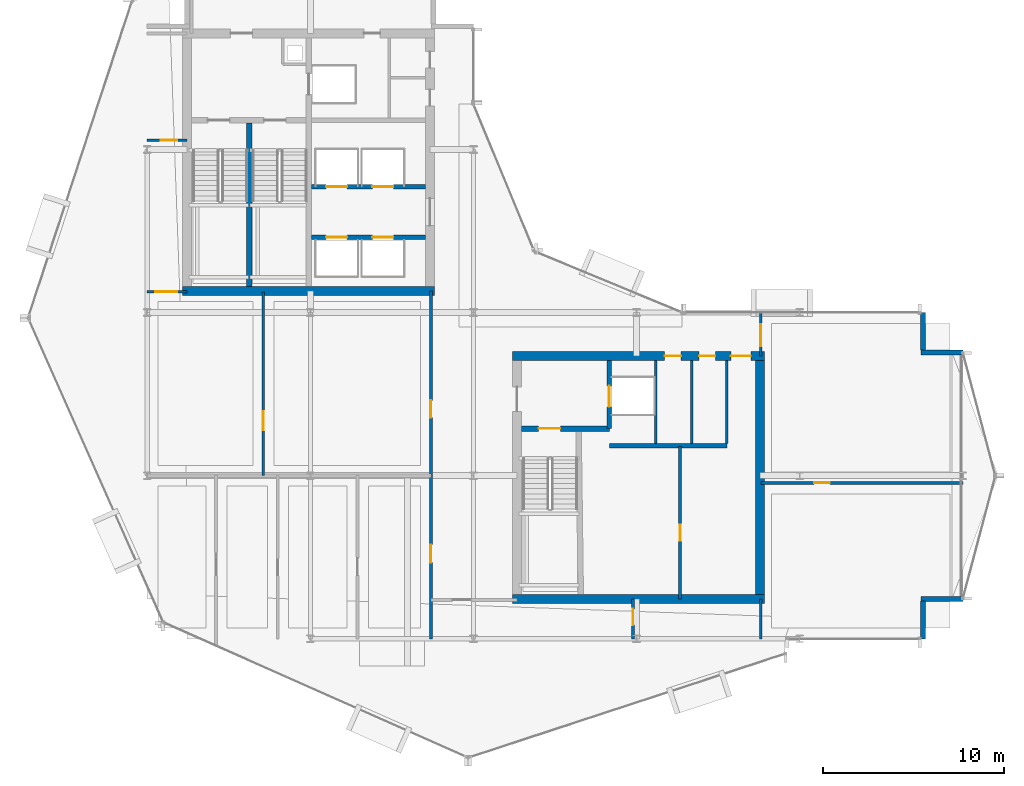
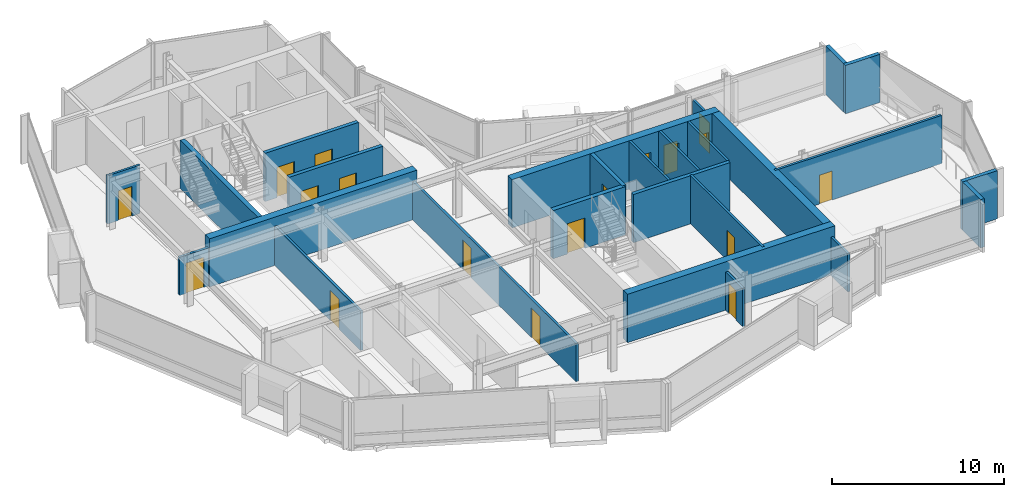
# One storey, part 20 of 27: 26 walls, 18 doors, 18 openings.
"""IFC4 building model written with IfcOpenShell, lengths in metres."""

import ifcopenshell
import ifcopenshell.guid

model = None  # the IFC model being written
_history = None  # IfcOwnerHistory: only IFC2X3 demands one
_inside = {}  # id of a spatial element -> (the spatial element, [elements in it])
_under = {}  # id of a project, library or spatial element -> (it, [spatial elements below it])
_declared = {}  # id of a project -> (the project, [libraries it declares])
_typed = {}  # id of a type object -> (the type object, [elements of that type])
_made_of = {}  # id of a material, layer set ... -> (it, [elements and type objects made of it])


def new_model(schema):
    """Start an empty IFC model of exactly this schema.

    Asked for "IFC4X3", IfcOpenShell would pick the latest addendum, in which some entities
    have other attributes; the version numbers below select the first issue.
    IFC2X3 requires an IfcOwnerHistory on every rooted entity: one is made here for all.
    """
    global model, _history
    if schema == "IFC4X3":
        model = ifcopenshell.file(schema_version=(4, 3, 0, 0))
    else:
        model = ifcopenshell.file(schema=schema)
    _inside.clear()
    _under.clear()
    _declared.clear()
    _typed.clear()
    _made_of.clear()
    _history = None
    if model.schema == "IFC2X3":
        org = make("IfcOrganization", Name="unknown")
        user = make(
            "IfcPersonAndOrganization",
            ThePerson=make("IfcPerson", FamilyName="unknown"),
            TheOrganization=org,
        )
        app = make(
            "IfcApplication",
            ApplicationDeveloper=org,
            Version="unknown",
            ApplicationFullName="unknown",
            ApplicationIdentifier="unknown",
        )
        _history = make(
            "IfcOwnerHistory",
            OwningUser=user,
            OwningApplication=app,
            ChangeAction="ADDED",
            CreationDate=0,
        )
    return model


def make(cls, **values):
    """One entity of the class cls with the attributes given. An attribute that is None is left unset."""
    return model.create_entity(
        cls, **{name: value for name, value in values.items() if value is not None}
    )


def rooted(cls, **values):
    """An entity with a GlobalId (a new one), such as an element, a storey or a relation."""
    return make(cls, GlobalId=ifcopenshell.guid.new(), OwnerHistory=_history, **values)


def si_unit(unit_type, name, prefix=None):
    """IfcSIUnit, for example si_unit("LENGTHUNIT", "METRE", prefix="MILLI")."""
    return make("IfcSIUnit", UnitType=unit_type, Prefix=prefix, Name=name)


def assignment(units):
    """IfcUnitAssignment: the units of a project."""
    return None if units is None else make("IfcUnitAssignment", Units=units)


def point(xyz):
    """IfcCartesianPoint."""
    return None if xyz is None else make("IfcCartesianPoint", Coordinates=xyz)


def direction(xyz):
    """IfcDirection."""
    return None if xyz is None else make("IfcDirection", DirectionRatios=xyz)


def frame(location, z_axis=None, x_axis=None):
    """IfcAxis2Placement3D, a coordinate frame: its origin and axes. An axis left out is left unset."""
    return make(
        "IfcAxis2Placement3D",
        Location=point(location),
        Axis=direction(z_axis),
        RefDirection=direction(x_axis),
    )


def frame_2d(location, x_axis=None):
    """IfcAxis2Placement2D, a coordinate frame in the plane: its origin and x axis."""
    return make(
        "IfcAxis2Placement2D", Location=point(location), RefDirection=direction(x_axis)
    )


def origin():
    """The frame at (0, 0, 0) with its axes left unset."""
    return frame((0.0, 0.0, 0.0))


def place(relative_to, where):
    """IfcLocalPlacement: puts the frame where relative to a parent placement (None: the world)."""
    return make(
        "IfcLocalPlacement", PlacementRelTo=relative_to, RelativePlacement=where
    )


def context(
    kind, dimensions, precision=None, world=None, true_north=None, identifier=None
):
    """IfcGeometricRepresentationContext, for example the 3D "Model" context."""
    return make(
        "IfcGeometricRepresentationContext",
        ContextIdentifier=identifier,
        ContextType=kind,
        CoordinateSpaceDimension=dimensions,
        Precision=precision,
        WorldCoordinateSystem=world,
        TrueNorth=true_north,
    )


def subcontext(parent, identifier, kind, view, scale=None):
    """IfcGeometricRepresentationSubContext, for example "Body" below "Model"."""
    return make(
        "IfcGeometricRepresentationSubContext",
        ContextIdentifier=identifier,
        ContextType=kind,
        ParentContext=parent,
        TargetScale=scale,
        TargetView=view,
    )


def project(units=None, contexts=None):
    """IfcProject with its units and contexts."""
    return rooted(
        "IfcProject",
        Name="project",
        RepresentationContexts=contexts,
        UnitsInContext=assignment(units),
    )


def spatial(cls, under=None, at=None, **own):
    """A site, building, storey or space (cls), placed at a placement, below another one or the project."""
    s = rooted(cls, ObjectPlacement=at, **own)
    if under is not None:
        _under.setdefault(under.id(), (under, []))[1].append(s)
    return s


def profile(cls, at=None, kind="AREA", **sizes):
    """A parametric profile (cls). Its sizes go by their IFC names, for example OverallWidth=200.0."""
    return make(cls, ProfileType=kind, Position=at, **sizes)


def rectangle(**sizes):
    """IfcRectangleProfileDef."""
    return profile("IfcRectangleProfileDef", **sizes)


def extrude(swept, where, along, depth):
    """IfcExtrudedAreaSolid: the profile swept, set in the frame where, extruded along a direction by depth."""
    return make(
        "IfcExtrudedAreaSolid",
        SweptArea=swept,
        Position=where,
        ExtrudedDirection=direction(along),
        Depth=depth,
    )


def shape(context_of_items, identifier, shape_type, items):
    """IfcShapeRepresentation: the items that make up one representation, for example the "Body"."""
    return make(
        "IfcShapeRepresentation",
        ContextOfItems=context_of_items,
        RepresentationIdentifier=identifier,
        RepresentationType=shape_type,
        Items=items,
    )


def material(Name=None, Category=None):
    """IfcMaterial."""
    return make("IfcMaterial", Name=Name, Category=Category)


def layer(
    of_material, thickness, ventilated=None, Name=None, Category=None, Priority=None
):
    """IfcMaterialLayer: one layer of a wall or slab, of a material (None: an air gap)."""
    return make(
        "IfcMaterialLayer",
        Material=of_material,
        LayerThickness=thickness,
        IsVentilated=ventilated,
        Name=Name,
        Category=Category,
        Priority=Priority,
    )


def layer_set(layers, Name=None):
    """IfcMaterialLayerSet."""
    return make("IfcMaterialLayerSet", MaterialLayers=layers, LayerSetName=Name)


def made_of(thing, what):
    """Note that an element or type object is made of a material, layer set ...; save() writes the relation."""
    if what is not None:
        _made_of.setdefault(what.id(), (what, []))[1].append(thing)
    return thing


def type_object(cls, material=None, **own):
    """A type object (cls), such as IfcWallType, which elements share."""
    return made_of(rooted(cls, **own), material)


def element(
    cls,
    number,
    at=None,
    inside=None,
    cuts=None,
    type_object=None,
    material=None,
    context=None,
    identifier="Body",
    shape_type=None,
    held_by="IfcProductDefinitionShape",
    body=None,
    shapes=None,
    **own,
):
    """One element of the class cls, such as IfcWall. Its Tag is "e" and its number.

    at: its placement. inside: the storey or other place that contains it. cuts: it is an
    opening in that element (IfcRelVoidsElement). A single representation is given by context,
    identifier, shape_type and body (its items); several are given by shapes. held_by: the class
    of the entity that holds the representations. save() writes the other relations.
    """
    e = rooted(cls, Tag="e%d" % number, ObjectPlacement=at, **own)
    if body is not None:
        shapes = [shape(context, identifier, shape_type, body)]
    if shapes is not None:
        e.Representation = make(held_by, Representations=shapes)
    if inside is not None:
        _inside.setdefault(inside.id(), (inside, []))[1].append(e)
    if cuts is not None:
        rooted(
            "IfcRelVoidsElement", RelatingBuildingElement=cuts, RelatedOpeningElement=e
        )
    if type_object is not None:
        _typed.setdefault(type_object.id(), (type_object, []))[1].append(e)
    return made_of(e, material)


def fill(opening, filler):
    """IfcRelFillsElement: the door or window that sits in an opening."""
    return rooted(
        "IfcRelFillsElement",
        RelatingOpeningElement=opening,
        RelatedBuildingElement=filler,
    )


def aggregate(whole, parts):
    """IfcRelAggregates: a whole, such as a stair, and the parts it consists of."""
    return rooted("IfcRelAggregates", RelatingObject=whole, RelatedObjects=parts)


def save(model, path):
    """Write the relations noted so far, then the file.

    IfcRelAggregates (storeys below a building ...), IfcRelContainedInSpatialStructure (elements
    in a storey), IfcRelDefinesByType, IfcRelAssociatesMaterial and IfcRelDeclares: one each for
    every whole, place, type object, material and project.
    """
    for whole, parts in _under.values():
        aggregate(whole, parts)
    for where, things in _inside.values():
        rooted(
            "IfcRelContainedInSpatialStructure",
            RelatedElements=things,
            RelatingStructure=where,
        )
    for kind, things in _typed.values():
        rooted("IfcRelDefinesByType", RelatedObjects=things, RelatingType=kind)
    for what, things in _made_of.values():
        rooted("IfcRelAssociatesMaterial", RelatedObjects=things, RelatingMaterial=what)
    for by, libraries in _declared.values():
        rooted("IfcRelDeclares", RelatingContext=by, RelatedDefinitions=libraries)
    model.write(path)


model = new_model("IFC4")

# Units and contexts
model_context = context("Model", 3, precision=1e-05, world=origin(), true_north=direction((0.0, 1.0)))
body_context = subcontext(model_context, "Body", "Model", "MODEL_VIEW")
ifc_project = project(units=[si_unit("LENGTHUNIT", "METRE"), si_unit("AREAUNIT", "SQUARE_METRE"), si_unit("VOLUMEUNIT", "CUBIC_METRE"), si_unit("PLANEANGLEUNIT", "RADIAN"), si_unit("MASSUNIT", "GRAM", prefix="KILO")], contexts=[model_context])

# Site, building, storey
site_placement = place(None, origin())
site = spatial("IfcSite", under=ifc_project, at=site_placement, CompositionType="ELEMENT")
building_placement = place(site_placement, origin())
building = spatial("IfcBuilding", under=site, at=building_placement, Name="Solvaryn Broadcast Tower", CompositionType="ELEMENT")
storey_placement = place(building_placement, frame((0.0, 0.0, 221.0)))
storey = spatial("IfcBuildingStorey", under=building, at=storey_placement, Name="L55", CompositionType="ELEMENT", Elevation=221.0)

# Walls
ifc_material_1 = material(Name="Concrete f'c 70 MPa", Category="concrete")
ifc_layer_1 = layer(ifc_material_1, 0.5)
ifc_layer_set_1 = layer_set([ifc_layer_1], Name="CW-SHEAR-500")
wall_type_1 = type_object("IfcWallType", Name="CW-SHEAR-500", PredefinedType="SHEAR", material=ifc_layer_set_1)
for number, where, z_axis, x_axis, name in (
    (1, (10.949951171875, 28.199951171875, 0.0), (0.0, 0.0, 1.0), (1.0, 0.0, 0.0), "L55 West Core South Shear Wall"),
    (2, (29.14990234375, 11.199951171875, 0.0), (0.0, 0.0, 1.0), (1.0, 0.0, 0.0), "L55 East Core South Shear Wall"),
):
    element("IfcWall", number, at=place(storey_placement, frame(where, z_axis=z_axis, x_axis=x_axis)), inside=storey, type_object=wall_type_1, Name=name, PredefinedType="SHEAR", context=body_context, shape_type="SweptSolid", body=[
        extrude(rectangle(XDim=13.900146484375, YDim=0.5, at=frame_2d((6.9501953125, 0.0))), origin(), (0.0, 0.0, 1.0), 3.419921875),
    ])

# Wall, openings, doors
wall_1_placement = place(storey_placement, frame((43.050048828125, 24.60009765625, 0.0), z_axis=(0.0, 0.0, 1.0), x_axis=(-1.0, 0.0, 0.0)))
wall_1 = element("IfcWall", 3, at=wall_1_placement, inside=storey, type_object=wall_type_1, Name="L55 East Core North Shear Wall", PredefinedType="SHEAR", context=body_context, shape_type="SweptSolid", body=[
    extrude(rectangle(XDim=13.900146484375, YDim=0.5, at=frame_2d((6.9501953125, 0.0))), origin(), (0.0, 0.0, 1.0), 3.419921875),
])
opening_1_placement = place(wall_1_placement, frame((0.75, 0.0, 0.0)))
opening_1 = element("IfcOpeningElement", 4, at=opening_1_placement, cuts=wall_1, Name="Opening FD90C", PredefinedType="OPENING", context=body_context, shape_type="SweptSolid", body=[
    extrude(rectangle(XDim=1.10009765625, YDim=2.14990234375, at=frame_2d((0.550048828125, 1.074951171875))), frame((0.0, 0.260009765625, 0.0), z_axis=(0.0, -1.0, 0.0), x_axis=(1.0, 0.0, 0.0)), (0.0, 0.0, 1.0), 0.52001953125),
])
opening_2_placement = place(wall_1_placement, frame((2.699951171875, 0.0, 0.0)))
opening_2 = element("IfcOpeningElement", 5, at=opening_2_placement, cuts=wall_1, Name="Opening FD60C", PredefinedType="OPENING", context=body_context, shape_type="SweptSolid", body=[
    extrude(rectangle(XDim=0.89990234375, YDim=2.10009765625, at=frame_2d((0.449951171875, 1.050048828125))), frame((0.0, 0.260009765625, 0.0), z_axis=(0.0, -1.0, 0.0), x_axis=(1.0, 0.0, 0.0)), (0.0, 0.0, 1.0), 0.52001953125),
])
opening_3_placement = place(wall_1_placement, frame((4.60009765625, 0.0, 0.0)))
opening_3 = element("IfcOpeningElement", 6, at=opening_3_placement, cuts=wall_1, Name="Opening FD60C", PredefinedType="OPENING", context=body_context, shape_type="SweptSolid", body=[
    extrude(rectangle(XDim=0.89990234375, YDim=2.10009765625, at=frame_2d((0.449951171875, 1.050048828125))), frame((0.0, 0.260009765625, 0.0), z_axis=(0.0, -1.0, 0.0), x_axis=(1.0, 0.0, 0.0)), (0.0, 0.0, 1.0), 0.52001953125),
])
ifc_material_2 = material(Name="Flush Acoustic Steel and Timber Door Assembly", Category="steel")
door_type_1 = type_object("IfcDoorType", Name="FD60-SERV-900X2100", OperationType="NOTDEFINED", PredefinedType="DOOR", material=ifc_material_2)
door_1_placement = place(opening_2_placement, origin())
door_1 = element("IfcDoor", 7, at=door_1_placement, inside=storey, type_object=door_type_1, Name="L55 Staff Restroom Door", OperationType="SINGLE_SWING_LEFT", OverallHeight=2.10009765625, OverallWidth=0.89990234375, PredefinedType="DOOR", context=body_context, shape_type="SweptSolid", body=[
    extrude(rectangle(XDim=0.89990234375, YDim=2.10009765625, at=frame_2d((0.449951171875, 1.050048828125))), frame((0.0, 0.02490234375, 0.0), z_axis=(0.0, -1.0, 0.0), x_axis=(1.0, 0.0, 0.0)), (0.0, 0.0, 1.0), 0.050048828125),
])
fill(opening_2, door_1)
door_2_placement = place(opening_3_placement, origin())
door_2 = element("IfcDoor", 8, at=door_2_placement, inside=storey, type_object=door_type_1, Name="L55 Accessible WC Door", OperationType="SINGLE_SWING_RIGHT", OverallHeight=2.10009765625, OverallWidth=0.89990234375, PredefinedType="DOOR", context=body_context, shape_type="SweptSolid", body=[
    extrude(rectangle(XDim=0.89990234375, YDim=2.10009765625, at=frame_2d((0.449951171875, 1.050048828125))), frame((0.0, 0.02490234375, 0.0), z_axis=(0.0, -1.0, 0.0), x_axis=(1.0, 0.0, 0.0)), (0.0, 0.0, 1.0), 0.050048828125),
])
fill(opening_3, door_2)
ifc_material_3 = material(Name="Flush Acoustic Steel and Timber Door Assembly", Category="steel")
door_type_2 = type_object("IfcDoorType", Name="FD90-PLANT-1100X2150", OperationType="NOTDEFINED", PredefinedType="DOOR", material=ifc_material_3)
door_3_placement = place(opening_1_placement, origin())
door_3 = element("IfcDoor", 9, at=door_3_placement, inside=storey, type_object=door_type_2, Name="L55 East Core Lobby Corridor Door", OperationType="SINGLE_SWING_LEFT", OverallHeight=2.14990234375, OverallWidth=1.10009765625, PredefinedType="DOOR", context=body_context, shape_type="SweptSolid", body=[
    extrude(rectangle(XDim=1.10009765625, YDim=2.14990234375, at=frame_2d((0.550048828125, 1.074951171875))), frame((0.0, 0.02490234375, 0.0), z_axis=(0.0, -1.0, 0.0), x_axis=(1.0, 0.0, 0.0)), (0.0, 0.0, 1.0), 0.050048828125),
])
fill(opening_1, door_3)

# Walls
wall_2_placement = place(storey_placement, frame((42.800048828125, 11.449951171875, 0.0), z_axis=(0.0, 0.0, 1.0), x_axis=(0.0, 1.0, 0.0)))
element("IfcWall", 10, at=wall_2_placement, inside=storey, type_object=wall_type_1, Name="L55 East Core East Shear Wall", PredefinedType="SHEAR", context=body_context, shape_type="SweptSolid", body=[
    extrude(rectangle(XDim=12.900146484375, YDim=0.5, at=frame_2d((6.4501953125, 0.0))), origin(), (0.0, 0.0, 1.0), 3.419921875),
])
ifc_material_4 = material(Name="Concrete f'c 50 MPa", Category="concrete")
ifc_layer_2 = layer(ifc_material_4, 0.260009765625)
ifc_layer_set_2 = layer_set([ifc_layer_2], Name="EW-PIER-260")
wall_type_2 = type_object("IfcWallType", Name="EW-PIER-260", PredefinedType="SOLIDWALL", material=ifc_layer_set_2)
wall_3_placement = place(storey_placement, frame((51.800048828125, 9.0, 0.0), z_axis=(0.0, 0.0, 1.0), x_axis=(0.0, 1.0, 0.0)))
element("IfcWall", 11, at=wall_3_placement, inside=storey, type_object=wall_type_2, Name="L55 Notched Corner Pier Wall NSE1", PredefinedType="SOLIDWALL", context=body_context, shape_type="SweptSolid", body=[
    extrude(rectangle(XDim=2.080078125, YDim=0.260009765625, at=frame_2d((1.0400390625, 0.0))), origin(), (0.0, 0.0, 1.0), 3.419921875),
])
for number, where, z_axis, x_axis, name in (
    (12, (51.679931640625, 11.199951171875, 0.0), (0.0, 0.0, 1.0), (1.0, 0.0, 0.0), "L55 Notched Corner Pier Wall NSE2"),
    (13, (54.0, 24.800048828125, 0.0), (0.0, 0.0, 1.0), (-1.0, 0.0, 0.0), "L55 Notched Corner Pier Wall NEE1"),
):
    element("IfcWall", number, at=place(storey_placement, frame(where, z_axis=z_axis, x_axis=x_axis)), inside=storey, type_object=wall_type_2, Name=name, PredefinedType="SOLIDWALL", context=body_context, shape_type="SweptSolid", body=[
        extrude(rectangle(XDim=2.320068359375, YDim=0.260009765625, at=frame_2d((1.16015625, 0.0))), origin(), (0.0, 0.0, 1.0), 3.419921875),
    ])
wall_4_placement = place(storey_placement, frame((51.800048828125, 24.919921875, 0.0), z_axis=(0.0, 0.0, 1.0), x_axis=(0.0, 1.0, 0.0)))
element("IfcWall", 14, at=wall_4_placement, inside=storey, type_object=wall_type_2, Name="L55 Notched Corner Pier Wall NEE2", PredefinedType="SOLIDWALL", context=body_context, shape_type="SweptSolid", body=[
    extrude(rectangle(XDim=2.080078125, YDim=0.260009765625, at=frame_2d((1.0400390625, 0.0))), origin(), (0.0, 0.0, 1.0), 3.419921875),
])

# Wall, opening, door
ifc_material_5 = material(Name="Metal-Stud Service Core Partition")
ifc_layer_3 = layer(ifc_material_5, 0.14990234375)
ifc_layer_set_3 = layer_set([ifc_layer_3], Name="IW-PART-150")
wall_type_3 = type_object("IfcWallType", Name="IW-PART-150", PredefinedType="PARTITIONING", material=ifc_layer_set_3)
wall_5_placement = place(storey_placement, frame((38.39990234375, 11.199951171875, 0.0), z_axis=(0.0, 0.0, 1.0), x_axis=(0.0, 1.0, 0.0)))
wall_5 = element("IfcWall", 15, at=wall_5_placement, inside=storey, type_object=wall_type_3, Name="L55 Interior Partition IW-L55-RPM-V", PredefinedType="PARTITIONING", context=body_context, shape_type="SweptSolid", body=[
    extrude(rectangle(XDim=8.400146484375, YDim=0.14990234375, at=frame_2d((4.2001953125, 0.0))), origin(), (0.0, 0.0, 1.0), 3.419921875),
])
opening_4_placement = place(wall_5_placement, frame((3.199951171875, 0.0, 0.0)))
opening_4 = element("IfcOpeningElement", 16, at=opening_4_placement, cuts=wall_5, Name="Opening FD60C", PredefinedType="OPENING", context=body_context, shape_type="SweptSolid", body=[
    extrude(rectangle(XDim=0.89990234375, YDim=2.10009765625, at=frame_2d((0.449951171875, 1.050048828125))), frame((0.0, 0.0849609375, 0.0), z_axis=(0.0, -1.0, 0.0), x_axis=(1.0, 0.0, 0.0)), (0.0, 0.0, 1.0), 0.169921875),
])
door_4_placement = place(opening_4_placement, origin())
door_4 = element("IfcDoor", 17, at=door_4_placement, inside=storey, type_object=door_type_1, Name="L55 Door DR-L55-RPM1", OperationType="SINGLE_SWING_RIGHT", OverallHeight=2.10009765625, OverallWidth=0.89990234375, PredefinedType="DOOR", context=body_context, shape_type="SweptSolid", body=[
    extrude(rectangle(XDim=0.89990234375, YDim=2.10009765625, at=frame_2d((0.449951171875, 1.050048828125))), frame((0.0, 0.02490234375, 0.0), z_axis=(0.0, -1.0, 0.0), x_axis=(1.0, 0.0, 0.0)), (0.0, 0.0, 1.0), 0.050048828125),
])
fill(opening_4, door_4)

# Walls
for number, where, z_axis, x_axis, name in (
    (18, (37.050048828125, 19.780029296875, 0.0), (0.0, 0.0, 1.0), (0.0, 1.0, 0.0), "L55 Interior Partition IW-L55-CE-FL2E"),
    (19, (39.050048828125, 19.780029296875, 0.0), (0.0, 0.0, 1.0), (0.0, 1.0, 0.0), "L55 Interior Partition IW-L55-CE-V1"),
    (20, (40.97998046875, 19.780029296875, 0.0), (0.0, 0.0, 1.0), (0.0, 1.0, 0.0), "L55 Interior Partition IW-L55-CE-V3"),
):
    element("IfcWall", number, at=place(storey_placement, frame(where, z_axis=z_axis, x_axis=x_axis)), inside=storey, type_object=wall_type_3, Name=name, PredefinedType="PARTITIONING", context=body_context, shape_type="SweptSolid", body=[
        extrude(rectangle(XDim=4.570068359375, YDim=0.14990234375, at=frame_2d((2.28515625, 0.0))), origin(), (0.0, 0.0, 1.0), 3.419921875),
    ])

# Wall, opening, door
wall_6_placement = place(storey_placement, frame((9.0, 36.5, 0.0), z_axis=(0.0, 0.0, 1.0), x_axis=(1.0, 0.0, 0.0)))
wall_6 = element("IfcWall", 21, at=wall_6_placement, inside=storey, type_object=wall_type_3, Name="L55 Interior Partition IW-L55-WM-M", PredefinedType="PARTITIONING", context=body_context, shape_type="SweptSolid", body=[
    extrude(rectangle(XDim=2.199951171875, YDim=0.14990234375, at=frame_2d((1.10009765625, 0.0))), origin(), (0.0, 0.0, 1.0), 3.419921875),
])
opening_5_placement = place(wall_6_placement, frame((0.75, 0.0, 0.0)))
opening_5 = element("IfcOpeningElement", 22, at=opening_5_placement, cuts=wall_6, Name="Opening FD60C", PredefinedType="OPENING", context=body_context, shape_type="SweptSolid", body=[
    extrude(rectangle(XDim=0.89990234375, YDim=2.10009765625, at=frame_2d((0.449951171875, 1.050048828125))), frame((0.0, 0.0849609375, 0.0), z_axis=(0.0, -1.0, 0.0), x_axis=(1.0, 0.0, 0.0)), (0.0, 0.0, 1.0), 0.169921875),
])
door_5_placement = place(opening_5_placement, origin())
door_5 = element("IfcDoor", 23, at=door_5_placement, inside=storey, type_object=door_type_1, Name="L55 Door DR-L55-WM1", OperationType="SINGLE_SWING_RIGHT", OverallHeight=2.10009765625, OverallWidth=0.89990234375, PredefinedType="DOOR", context=body_context, shape_type="SweptSolid", body=[
    extrude(rectangle(XDim=0.89990234375, YDim=2.10009765625, at=frame_2d((0.449951171875, 1.050048828125))), frame((0.0, 0.02490234375, 0.0), z_axis=(0.0, -1.0, 0.0), x_axis=(1.0, 0.0, 0.0)), (0.0, 0.0, 1.0), 0.050048828125),
])
fill(opening_5, door_5)

wall_7_placement = place(storey_placement, frame((35.800048828125, 9.0, 0.0), z_axis=(0.0, 0.0, 1.0), x_axis=(0.0, 1.0, 0.0)))
wall_7 = element("IfcWall", 24, at=wall_7_placement, inside=storey, type_object=wall_type_3, Name="L55 Interior Partition IW-L55-SC-V", PredefinedType="PARTITIONING", context=body_context, shape_type="SweptSolid", body=[
    extrude(rectangle(XDim=2.199951171875, YDim=0.14990234375, at=frame_2d((1.10009765625, 0.0))), origin(), (0.0, 0.0, 1.0), 2.70703125),
])
opening_6_placement = place(wall_7_placement, frame((0.75, 0.0, 0.0)))
opening_6 = element("IfcOpeningElement", 25, at=opening_6_placement, cuts=wall_7, Name="Opening FD60C", PredefinedType="OPENING", context=body_context, shape_type="SweptSolid", body=[
    extrude(rectangle(XDim=0.89990234375, YDim=2.10009765625, at=frame_2d((0.449951171875, 1.050048828125))), frame((0.0, 0.0849609375, 0.0), z_axis=(0.0, -1.0, 0.0), x_axis=(1.0, 0.0, 0.0)), (0.0, 0.0, 1.0), 0.169921875),
])
door_6_placement = place(opening_6_placement, origin())
door_6 = element("IfcDoor", 26, at=door_6_placement, inside=storey, type_object=door_type_1, Name="L55 Door DR-L55-SC1", OperationType="SINGLE_SWING_RIGHT", OverallHeight=2.10009765625, OverallWidth=0.89990234375, PredefinedType="DOOR", context=body_context, shape_type="SweptSolid", body=[
    extrude(rectangle(XDim=0.89990234375, YDim=2.10009765625, at=frame_2d((0.449951171875, 1.050048828125))), frame((0.0, 0.02490234375, 0.0), z_axis=(0.0, -1.0, 0.0), x_axis=(1.0, 0.0, 0.0)), (0.0, 0.0, 1.0), 0.050048828125),
])
fill(opening_6, door_6)

ifc_material_6 = material(Name="Metal-Stud Gypsum Office Partition")
ifc_layer_4 = layer(ifc_material_6, 0.159912109375)
ifc_layer_set_4 = layer_set([ifc_layer_4], Name="IW-PART-160")
wall_type_4 = type_object("IfcWallType", Name="IW-PART-160", PredefinedType="PARTITIONING", material=ifc_layer_set_4)
wall_8_placement = place(storey_placement, frame((9.0, 28.14990234375, 0.0), z_axis=(0.0, 0.0, 1.0), x_axis=(1.0, 0.0, 0.0)))
wall_8 = element("IfcWall", 27, at=wall_8_placement, inside=storey, type_object=wall_type_4, Name="L55 Interior Partition IW-L55-WM-S", PredefinedType="PARTITIONING", context=body_context, shape_type="SweptSolid", body=[
    extrude(rectangle(XDim=2.199951171875, YDim=0.159912109375, at=frame_2d((1.10009765625, 0.0))), origin(), (0.0, 0.0, 1.0), 2.70703125),
])
opening_7_placement = place(wall_8_placement, frame((0.449951171875, 0.0, 0.0)))
opening_7 = element("IfcOpeningElement", 28, at=opening_7_placement, cuts=wall_8, Name="Opening ID04", PredefinedType="OPENING", context=body_context, shape_type="SweptSolid", body=[
    extrude(rectangle(XDim=1.199951171875, YDim=2.14990234375, at=frame_2d((0.60009765625, 1.074951171875))), frame((0.0, 0.090087890625, 0.0), z_axis=(0.0, -1.0, 0.0), x_axis=(1.0, 0.0, 0.0)), (0.0, 0.0, 1.0), 0.179931640625),
])
ifc_material_7 = material(Name="Flush Acoustic Steel and Timber Door Assembly", Category="steel")
door_type_3 = type_object("IfcDoorType", Name="ID-04-1200X2150", OperationType="NOTDEFINED", PredefinedType="DOOR", material=ifc_material_7)
door_7_placement = place(opening_7_placement, origin())
door_7 = element("IfcDoor", 29, at=door_7_placement, inside=storey, type_object=door_type_3, Name="L55 Door DR-L55-WM0", OperationType="SINGLE_SWING_LEFT", OverallHeight=2.14990234375, OverallWidth=1.199951171875, PredefinedType="DOOR", context=body_context, shape_type="SweptSolid", body=[
    extrude(rectangle(XDim=1.199951171875, YDim=2.14990234375, at=frame_2d((0.60009765625, 1.074951171875))), frame((0.0, 0.02490234375, 0.0), z_axis=(0.0, -1.0, 0.0), x_axis=(1.0, 0.0, 0.0)), (0.0, 0.0, 1.0), 0.050048828125),
])
fill(opening_7, door_7)

# Wall, openings, doors
wall_9_placement = place(storey_placement, frame((24.64990234375, 9.0, 0.0), z_axis=(0.0, 0.0, 1.0), x_axis=(0.0, 1.0, 0.0)))
wall_9 = element("IfcWall", 30, at=wall_9_placement, inside=storey, type_object=wall_type_4, Name="L55 Interior Partition IW-L55-SW-EB", PredefinedType="PARTITIONING", context=body_context, shape_type="SweptSolid", body=[
    extrude(rectangle(XDim=19.199951171875, YDim=0.159912109375, at=frame_2d((9.60009765625, 0.0))), origin(), (0.0, 0.0, 1.0), 2.70703125),
])
opening_8_placement = place(wall_9_placement, frame((12.199951171875, 0.0, 0.0)))
opening_8 = element("IfcOpeningElement", 31, at=opening_8_placement, cuts=wall_9, Name="Opening ID01", PredefinedType="OPENING", context=body_context, shape_type="SweptSolid", body=[
    extrude(rectangle(XDim=0.949951171875, YDim=2.10009765625, at=frame_2d((0.47509765625, 1.050048828125))), frame((0.0, 0.090087890625, 0.0), z_axis=(0.0, -1.0, 0.0), x_axis=(1.0, 0.0, 0.0)), (0.0, 0.0, 1.0), 0.179931640625),
])
opening_9_placement = place(wall_9_placement, frame((4.199951171875, 0.0, 0.0)))
opening_9 = element("IfcOpeningElement", 32, at=opening_9_placement, cuts=wall_9, Name="Opening ID02", PredefinedType="OPENING", context=body_context, shape_type="SweptSolid", body=[
    extrude(rectangle(XDim=1.0, YDim=2.10009765625, at=frame_2d((0.5, 1.050048828125))), frame((0.0, 0.090087890625, 0.0), z_axis=(0.0, -1.0, 0.0), x_axis=(1.0, 0.0, 0.0)), (0.0, 0.0, 1.0), 0.179931640625),
])
ifc_material_8 = material(Name="Flush Acoustic Steel and Timber Door Assembly", Category="steel")
door_type_4 = type_object("IfcDoorType", Name="ID-01-950X2100", OperationType="NOTDEFINED", PredefinedType="DOOR", material=ifc_material_8)
door_8_placement = place(opening_8_placement, origin())
door_8 = element("IfcDoor", 33, at=door_8_placement, inside=storey, type_object=door_type_4, Name="L55 Door DR-L55-SW-EN", OperationType="SINGLE_SWING_LEFT", OverallHeight=2.10009765625, OverallWidth=0.949951171875, PredefinedType="DOOR", context=body_context, shape_type="SweptSolid", body=[
    extrude(rectangle(XDim=0.949951171875, YDim=2.10009765625, at=frame_2d((0.47509765625, 1.050048828125))), frame((0.0, 0.02490234375, 0.0), z_axis=(0.0, -1.0, 0.0), x_axis=(1.0, 0.0, 0.0)), (0.0, 0.0, 1.0), 0.050048828125),
])
fill(opening_8, door_8)
ifc_material_9 = material(Name="Flush Acoustic Steel and Timber Door Assembly", Category="steel")
door_type_5 = type_object("IfcDoorType", Name="ID-02-1000X2100", OperationType="NOTDEFINED", PredefinedType="DOOR", material=ifc_material_9)
door_9_placement = place(opening_9_placement, origin())
door_9 = element("IfcDoor", 34, at=door_9_placement, inside=storey, type_object=door_type_5, Name="L55 Door DR-L55-SW-ES", OperationType="SINGLE_SWING_RIGHT", OverallHeight=2.10009765625, OverallWidth=1.0, PredefinedType="DOOR", context=body_context, shape_type="SweptSolid", body=[
    extrude(rectangle(XDim=1.0, YDim=2.10009765625, at=frame_2d((0.5, 1.050048828125))), frame((0.0, 0.02490234375, 0.0), z_axis=(0.0, -1.0, 0.0), x_axis=(1.0, 0.0, 0.0)), (0.0, 0.0, 1.0), 0.050048828125),
])
fill(opening_9, door_9)

# Wall, opening, door
wall_10_placement = place(storey_placement, frame((15.39990234375, 18.0, 0.0), z_axis=(0.0, 0.0, 1.0), x_axis=(0.0, 1.0, 0.0)))
wall_10 = element("IfcWall", 35, at=wall_10_placement, inside=storey, type_object=wall_type_4, Name="L55 Interior Partition IW-L55-SWN-V1", PredefinedType="PARTITIONING", context=body_context, shape_type="SweptSolid", body=[
    extrude(rectangle(XDim=10.1298828125, YDim=0.159912109375, at=frame_2d((5.06494140625, 0.0))), origin(), (0.0, 0.0, 1.0), 2.7890625),
])
opening_10_placement = place(wall_10_placement, frame((2.5, 0.0, 0.0)))
opening_10 = element("IfcOpeningElement", 36, at=opening_10_placement, cuts=wall_10, Name="Opening ID03", PredefinedType="OPENING", context=body_context, shape_type="SweptSolid", body=[
    extrude(rectangle(XDim=1.050048828125, YDim=2.14990234375, at=frame_2d((0.52490234375, 1.074951171875))), frame((0.0, 0.090087890625, 0.0), z_axis=(0.0, -1.0, 0.0), x_axis=(1.0, 0.0, 0.0)), (0.0, 0.0, 1.0), 0.179931640625),
])
ifc_material_10 = material(Name="Flush Acoustic Steel and Timber Door Assembly", Category="steel")
door_type_6 = type_object("IfcDoorType", Name="ID-03-1050X2150", OperationType="NOTDEFINED", PredefinedType="DOOR", material=ifc_material_10)
door_10_placement = place(opening_10_placement, origin())
door_10 = element("IfcDoor", 37, at=door_10_placement, inside=storey, type_object=door_type_6, Name="L55 Door DR-L55-SWN-1", OperationType="SINGLE_SWING_LEFT", OverallHeight=2.14990234375, OverallWidth=1.050048828125, PredefinedType="DOOR", context=body_context, shape_type="SweptSolid", body=[
    extrude(rectangle(XDim=1.050048828125, YDim=2.14990234375, at=frame_2d((0.52490234375, 1.074951171875))), frame((0.0, 0.02490234375, 0.0), z_axis=(0.0, -1.0, 0.0), x_axis=(1.0, 0.0, 0.0)), (0.0, 0.0, 1.0), 0.050048828125),
])
fill(opening_10, door_10)

# Wall
wall_11_placement = place(storey_placement, frame((42.85009765625, 9.0, 0.0), z_axis=(0.0, 0.0, 1.0), x_axis=(0.0, 1.0, 0.0)))
element("IfcWall", 38, at=wall_11_placement, inside=storey, type_object=wall_type_4, Name="L55 Interior Partition IW-L55-SC-E", PredefinedType="PARTITIONING", context=body_context, shape_type="SweptSolid", body=[
    extrude(rectangle(XDim=2.199951171875, YDim=0.159912109375, at=frame_2d((1.10009765625, 0.0))), origin(), (0.0, 0.0, 1.0), 2.70703125),
])

# Wall, opening, door
wall_12_placement = place(storey_placement, frame((42.85009765625, 24.60009765625, 0.0), z_axis=(0.0, 0.0, 1.0), x_axis=(0.0, 1.0, 0.0)))
wall_12 = element("IfcWall", 39, at=wall_12_placement, inside=storey, type_object=wall_type_4, Name="L55 Interior Partition IW-L55-EW-BN", PredefinedType="PARTITIONING", context=body_context, shape_type="SweptSolid", body=[
    extrude(rectangle(XDim=2.39990234375, YDim=0.159912109375, at=frame_2d((1.199951171875, 0.0))), origin(), (0.0, 0.0, 1.0), 2.70703125),
])
opening_11_placement = place(wall_12_placement, frame((0.550048828125, 0.0, 0.0)))
opening_11 = element("IfcOpeningElement", 40, at=opening_11_placement, cuts=wall_12, Name="Opening ID04", PredefinedType="OPENING", context=body_context, shape_type="SweptSolid", body=[
    extrude(rectangle(XDim=1.199951171875, YDim=2.14990234375, at=frame_2d((0.60009765625, 1.074951171875))), frame((0.0, 0.090087890625, 0.0), z_axis=(0.0, -1.0, 0.0), x_axis=(1.0, 0.0, 0.0)), (0.0, 0.0, 1.0), 0.179931640625),
])
door_11_placement = place(opening_11_placement, origin())
door_11 = element("IfcDoor", 41, at=door_11_placement, inside=storey, type_object=door_type_3, Name="L55 Door DR-L55-EW0", OperationType="SINGLE_SWING_LEFT", OverallHeight=2.14990234375, OverallWidth=1.199951171875, PredefinedType="DOOR", context=body_context, shape_type="SweptSolid", body=[
    extrude(rectangle(XDim=1.199951171875, YDim=2.14990234375, at=frame_2d((0.60009765625, 1.074951171875))), frame((0.0, 0.02490234375, 0.0), z_axis=(0.0, -1.0, 0.0), x_axis=(1.0, 0.0, 0.0)), (0.0, 0.0, 1.0), 0.050048828125),
])
fill(opening_11, door_11)

wall_13_placement = place(storey_placement, frame((42.85009765625, 17.60009765625, 0.0), z_axis=(0.0, 0.0, 1.0), x_axis=(1.0, 0.0, 0.0)))
wall_13 = element("IfcWall", 42, at=wall_13_placement, inside=storey, type_object=wall_type_4, Name="L55 Interior Partition IW-L55-EW-H1", PredefinedType="PARTITIONING", context=body_context, shape_type="SweptSolid", body=[
    extrude(rectangle(XDim=11.14990234375, YDim=0.159912109375, at=frame_2d((5.574951171875, 0.0))), origin(), (0.0, 0.0, 1.0), 3.419921875),
])
opening_12_placement = place(wall_13_placement, frame((2.949951171875, 0.0, 0.0)))
opening_12 = element("IfcOpeningElement", 43, at=opening_12_placement, cuts=wall_13, Name="Opening ID07", PredefinedType="OPENING", context=body_context, shape_type="SweptSolid", body=[
    extrude(rectangle(XDim=0.860107421875, YDim=2.050048828125, at=frame_2d((0.43017578125, 1.02490234375))), frame((0.0, 0.090087890625, 0.0), z_axis=(0.0, -1.0, 0.0), x_axis=(1.0, 0.0, 0.0)), (0.0, 0.0, 1.0), 0.179931640625),
])
ifc_material_11 = material(Name="Flush Acoustic Steel and Timber Door Assembly", Category="steel")
door_type_7 = type_object("IfcDoorType", Name="ID-07-860X2050", OperationType="NOTDEFINED", PredefinedType="DOOR", material=ifc_material_11)
door_12_placement = place(opening_12_placement, origin())
door_12 = element("IfcDoor", 44, at=door_12_placement, inside=storey, type_object=door_type_7, Name="L55 Door DR-L55-EW-1", OperationType="SINGLE_SWING_RIGHT", OverallHeight=2.050048828125, OverallWidth=0.860107421875, PredefinedType="DOOR", context=body_context, shape_type="SweptSolid", body=[
    extrude(rectangle(XDim=0.860107421875, YDim=2.050048828125, at=frame_2d((0.43017578125, 1.02490234375))), frame((0.0, 0.02490234375, 0.0), z_axis=(0.0, -1.0, 0.0), x_axis=(1.0, 0.0, 0.0)), (0.0, 0.0, 1.0), 0.050048828125),
])
fill(opening_12, door_12)

# Wall, openings, doors
ifc_material_12 = material(Name="Concrete f'c 60 MPa", Category="concrete")
ifc_layer_5 = layer(ifc_material_12, 0.25)
ifc_layer_set_5 = layer_set([ifc_layer_5], Name="SW-SHAFT-250")
wall_type_5 = type_object("IfcWallType", Name="SW-SHAFT-250", PredefinedType="PARTITIONING", material=ifc_layer_set_5)
wall_14_placement = place(storey_placement, frame((18.070068359375, 31.14990234375, 0.0), z_axis=(0.0, 0.0, 1.0), x_axis=(1.0, 0.0, 0.0)))
wall_14 = element("IfcWall", 45, at=wall_14_placement, inside=storey, type_object=wall_type_5, Name="L55 High-Rise Lift Bank South Wall", PredefinedType="PARTITIONING", context=body_context, shape_type="SweptSolid", body=[
    extrude(rectangle(XDim=6.280029296875, YDim=0.25, at=frame_2d((3.14013671875, 0.0))), origin(), (0.0, 0.0, 1.0), 3.419921875),
])
opening_13_placement = place(wall_14_placement, frame((0.804931640625, 0.0, 0.0)))
opening_13 = element("IfcOpeningElement", 46, at=opening_13_placement, cuts=wall_14, Name="Opening LD01", PredefinedType="OPENING", context=body_context, shape_type="SweptSolid", body=[
    extrude(rectangle(XDim=1.14990234375, YDim=2.14990234375, at=frame_2d((0.574951171875, 1.074951171875))), frame((0.0, 0.135009765625, 0.0), z_axis=(0.0, -1.0, 0.0), x_axis=(1.0, 0.0, 0.0)), (0.0, 0.0, 1.0), 0.27001953125),
])
opening_14_placement = place(wall_14_placement, frame((3.35498046875, 0.0, 0.0)))
opening_14 = element("IfcOpeningElement", 47, at=opening_14_placement, cuts=wall_14, Name="Opening LD01", PredefinedType="OPENING", context=body_context, shape_type="SweptSolid", body=[
    extrude(rectangle(XDim=1.14990234375, YDim=2.14990234375, at=frame_2d((0.574951171875, 1.074951171875))), frame((0.0, 0.135009765625, 0.0), z_axis=(0.0, -1.0, 0.0), x_axis=(1.0, 0.0, 0.0)), (0.0, 0.0, 1.0), 0.27001953125),
])
ifc_material_13 = material(Name="Flush Acoustic Steel and Timber Door Assembly", Category="steel")
door_type_8 = type_object("IfcDoorType", Name="LD-LIFT-1150X2150", OperationType="NOTDEFINED", PredefinedType="DOOR", material=ifc_material_13)
door_13_placement = place(opening_13_placement, origin())
door_13 = element("IfcDoor", 48, at=door_13_placement, inside=storey, type_object=door_type_8, Name="L55 PH1 Lift Landing Door", OperationType="DOUBLE_DOOR_SLIDING", OverallHeight=2.14990234375, OverallWidth=1.14990234375, PredefinedType="DOOR", context=body_context, shape_type="SweptSolid", body=[
    extrude(rectangle(XDim=1.14990234375, YDim=2.14990234375, at=frame_2d((0.574951171875, 1.074951171875))), frame((0.0, 0.02490234375, 0.0), z_axis=(0.0, -1.0, 0.0), x_axis=(1.0, 0.0, 0.0)), (0.0, 0.0, 1.0), 0.050048828125),
])
fill(opening_13, door_13)
door_14_placement = place(opening_14_placement, origin())
door_14 = element("IfcDoor", 49, at=door_14_placement, inside=storey, type_object=door_type_8, Name="L55 PH2 Lift Landing Door", OperationType="DOUBLE_DOOR_SLIDING", OverallHeight=2.14990234375, OverallWidth=1.14990234375, PredefinedType="DOOR", context=body_context, shape_type="SweptSolid", body=[
    extrude(rectangle(XDim=1.14990234375, YDim=2.14990234375, at=frame_2d((0.574951171875, 1.074951171875))), frame((0.0, 0.02490234375, 0.0), z_axis=(0.0, -1.0, 0.0), x_axis=(1.0, 0.0, 0.0)), (0.0, 0.0, 1.0), 0.050048828125),
])
fill(opening_14, door_14)

wall_15_placement = place(storey_placement, frame((24.35009765625, 33.949951171875, 0.0), z_axis=(0.0, 0.0, 1.0), x_axis=(-1.0, 0.0, 0.0)))
wall_15 = element("IfcWall", 50, at=wall_15_placement, inside=storey, type_object=wall_type_5, Name="L55 High-Rise Lift Bank North Wall", PredefinedType="PARTITIONING", context=body_context, shape_type="SweptSolid", body=[
    extrude(rectangle(XDim=6.280029296875, YDim=0.25, at=frame_2d((3.14013671875, 0.0))), origin(), (0.0, 0.0, 1.0), 3.419921875),
])
opening_15_placement = place(wall_15_placement, frame((4.324951171875, 0.0, 0.0)))
opening_15 = element("IfcOpeningElement", 51, at=opening_15_placement, cuts=wall_15, Name="Opening LD01", PredefinedType="OPENING", context=body_context, shape_type="SweptSolid", body=[
    extrude(rectangle(XDim=1.14990234375, YDim=2.14990234375, at=frame_2d((0.574951171875, 1.074951171875))), frame((0.0, 0.135009765625, 0.0), z_axis=(0.0, -1.0, 0.0), x_axis=(1.0, 0.0, 0.0)), (0.0, 0.0, 1.0), 0.27001953125),
])
opening_16_placement = place(wall_15_placement, frame((1.77490234375, 0.0, 0.0)))
opening_16 = element("IfcOpeningElement", 52, at=opening_16_placement, cuts=wall_15, Name="Opening LD01", PredefinedType="OPENING", context=body_context, shape_type="SweptSolid", body=[
    extrude(rectangle(XDim=1.14990234375, YDim=2.14990234375, at=frame_2d((0.574951171875, 1.074951171875))), frame((0.0, 0.135009765625, 0.0), z_axis=(0.0, -1.0, 0.0), x_axis=(1.0, 0.0, 0.0)), (0.0, 0.0, 1.0), 0.27001953125),
])
door_15_placement = place(opening_15_placement, origin())
door_15 = element("IfcDoor", 53, at=door_15_placement, inside=storey, type_object=door_type_8, Name="L55 PH3 Lift Landing Door", OperationType="DOUBLE_DOOR_SLIDING", OverallHeight=2.14990234375, OverallWidth=1.14990234375, PredefinedType="DOOR", context=body_context, shape_type="SweptSolid", body=[
    extrude(rectangle(XDim=1.14990234375, YDim=2.14990234375, at=frame_2d((0.574951171875, 1.074951171875))), frame((0.0, 0.02490234375, 0.0), z_axis=(0.0, -1.0, 0.0), x_axis=(1.0, 0.0, 0.0)), (0.0, 0.0, 1.0), 0.050048828125),
])
fill(opening_15, door_15)
door_16_placement = place(opening_16_placement, origin())
door_16 = element("IfcDoor", 54, at=door_16_placement, inside=storey, type_object=door_type_8, Name="L55 PH4 Lift Landing Door", OperationType="DOUBLE_DOOR_SLIDING", OverallHeight=2.14990234375, OverallWidth=1.14990234375, PredefinedType="DOOR", context=body_context, shape_type="SweptSolid", body=[
    extrude(rectangle(XDim=1.14990234375, YDim=2.14990234375, at=frame_2d((0.574951171875, 1.074951171875))), frame((0.0, 0.02490234375, 0.0), z_axis=(0.0, -1.0, 0.0), x_axis=(1.0, 0.0, 0.0)), (0.0, 0.0, 1.0), 0.050048828125),
])
fill(opening_16, door_16)

# Wall, opening, door
wall_16_placement = place(storey_placement, frame((34.5, 20.60009765625, 0.0), z_axis=(0.0, 0.0, 1.0), x_axis=(0.0, 1.0, 0.0)))
wall_16 = element("IfcWall", 55, at=wall_16_placement, inside=storey, type_object=wall_type_5, Name="L55 East FSAE Lobby East Wall", PredefinedType="PARTITIONING", context=body_context, shape_type="SweptSolid", body=[
    extrude(rectangle(XDim=3.75, YDim=0.25, at=frame_2d((1.875, 0.0))), origin(), (0.0, 0.0, 1.0), 3.419921875),
])
opening_17_placement = place(wall_16_placement, frame((1.199951171875, 0.0, 0.0)))
opening_17 = element("IfcOpeningElement", 56, at=opening_17_placement, cuts=wall_16, Name="Opening LD01", PredefinedType="OPENING", context=body_context, shape_type="SweptSolid", body=[
    extrude(rectangle(XDim=1.14990234375, YDim=2.14990234375, at=frame_2d((0.574951171875, 1.074951171875))), frame((0.0, 0.135009765625, 0.0), z_axis=(0.0, -1.0, 0.0), x_axis=(1.0, 0.0, 0.0)), (0.0, 0.0, 1.0), 0.27001953125),
])
door_17_placement = place(opening_17_placement, origin())
door_17 = element("IfcDoor", 57, at=door_17_placement, inside=storey, type_object=door_type_8, Name="L55 FL2 Lift Landing Door", OperationType="DOUBLE_DOOR_SLIDING", OverallHeight=2.14990234375, OverallWidth=1.14990234375, PredefinedType="DOOR", context=body_context, shape_type="SweptSolid", body=[
    extrude(rectangle(XDim=1.14990234375, YDim=2.14990234375, at=frame_2d((0.574951171875, 1.074951171875))), frame((0.0, 0.02490234375, 0.0), z_axis=(0.0, -1.0, 0.0), x_axis=(1.0, 0.0, 0.0)), (0.0, 0.0, 1.0), 0.050048828125),
])
fill(opening_17, door_17)

# Walls
wall_17_placement = place(storey_placement, frame((34.5, 19.64990234375, 0.0), z_axis=(0.0, 0.0, 1.0), x_axis=(1.0, 0.0, 0.0)))
element("IfcWall", 58, at=wall_17_placement, inside=storey, type_object=wall_type_5, Name="L55 East Core Restroom South Wall", PredefinedType="PARTITIONING", context=body_context, shape_type="SweptSolid", body=[
    extrude(rectangle(XDim=6.47998046875, YDim=0.25, at=frame_2d((3.239990234375, 0.0))), origin(), (0.0, 0.0, 1.0), 3.419921875),
])
ifc_material_14 = material(Name="Concrete f'c 70 MPa", Category="concrete")
ifc_layer_6 = layer(ifc_material_14, 0.300048828125)
ifc_layer_set_6 = layer_set([ifc_layer_6], Name="SW-SHAFT-300")
wall_type_6 = type_object("IfcWallType", Name="SW-SHAFT-300", PredefinedType="SHEAR", material=ifc_layer_set_6)
wall_18_placement = place(storey_placement, frame((14.6201171875, 28.449951171875, 0.0), z_axis=(0.0, 0.0, 1.0), x_axis=(0.0, 1.0, 0.0)))
element("IfcWall", 59, at=wall_18_placement, inside=storey, type_object=wall_type_6, Name="L55 Stair 1-2 Dividing Wall", PredefinedType="SHEAR", context=body_context, shape_type="SweptSolid", body=[
    extrude(rectangle(XDim=9.0, YDim=0.300048828125, at=frame_2d((4.5, 0.0))), origin(), (0.0, 0.0, 1.0), 3.419921875),
])

# Wall, opening, door
wall_19_placement = place(storey_placement, frame((34.5, 20.60009765625, 0.0), z_axis=(0.0, 0.0, 1.0), x_axis=(-1.0, 0.0, 0.0)))
wall_19 = element("IfcWall", 60, at=wall_19_placement, inside=storey, type_object=wall_type_6, Name="L55 East FSAE Lobby South Wall", PredefinedType="SHEAR", context=body_context, shape_type="SweptSolid", body=[
    extrude(rectangle(XDim=4.85009765625, YDim=0.300048828125, at=frame_2d((2.425048828125, 0.0))), origin(), (0.0, 0.0, 1.0), 3.419921875),
])
opening_18_placement = place(wall_19_placement, frame((2.699951171875, 0.0, 0.0)))
opening_18 = element("IfcOpeningElement", 61, at=opening_18_placement, cuts=wall_19, Name="Opening FD90A", PredefinedType="OPENING", context=body_context, shape_type="SweptSolid", body=[
    extrude(rectangle(XDim=1.199951171875, YDim=2.14990234375, at=frame_2d((0.60009765625, 1.074951171875))), frame((0.0, 0.159912109375, 0.0), z_axis=(0.0, -1.0, 0.0), x_axis=(1.0, 0.0, 0.0)), (0.0, 0.0, 1.0), 0.320068359375),
])
ifc_material_15 = material(Name="Flush Acoustic Steel and Timber Door Assembly", Category="steel")
door_type_9 = type_object("IfcDoorType", Name="FD90-STAIR-1200X2150", OperationType="NOTDEFINED", PredefinedType="DOOR", material=ifc_material_15)
door_18_placement = place(opening_18_placement, origin())
door_18 = element("IfcDoor", 62, at=door_18_placement, inside=storey, type_object=door_type_9, Name="L55 Stair 3 Fire Door", OperationType="SINGLE_SWING_LEFT", OverallHeight=2.14990234375, OverallWidth=1.199951171875, PredefinedType="DOOR", context=body_context, shape_type="SweptSolid", body=[
    extrude(rectangle(XDim=1.199951171875, YDim=2.14990234375, at=frame_2d((0.60009765625, 1.074951171875))), frame((0.0, 0.02490234375, 0.0), z_axis=(0.0, -1.0, 0.0), x_axis=(1.0, 0.0, 0.0)), (0.0, 0.0, 1.0), 0.050048828125),
])
fill(opening_18, door_18)

save(model, "model.ifc")
